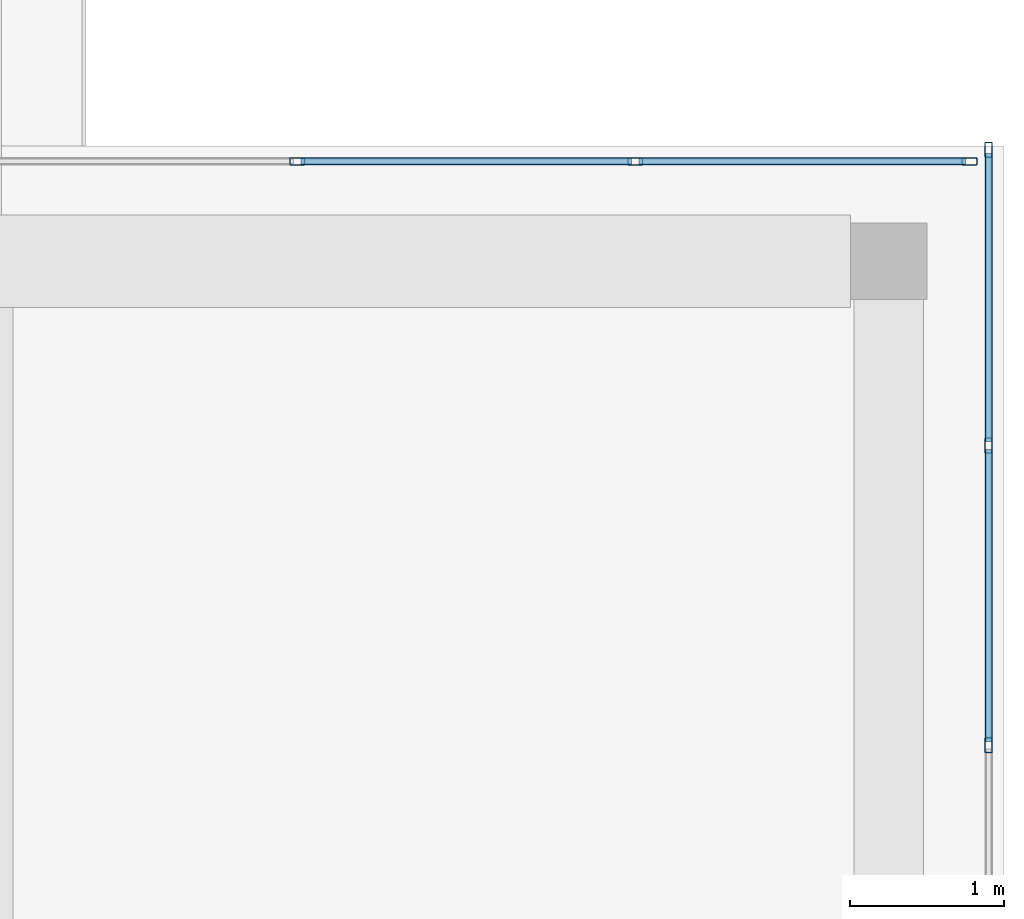
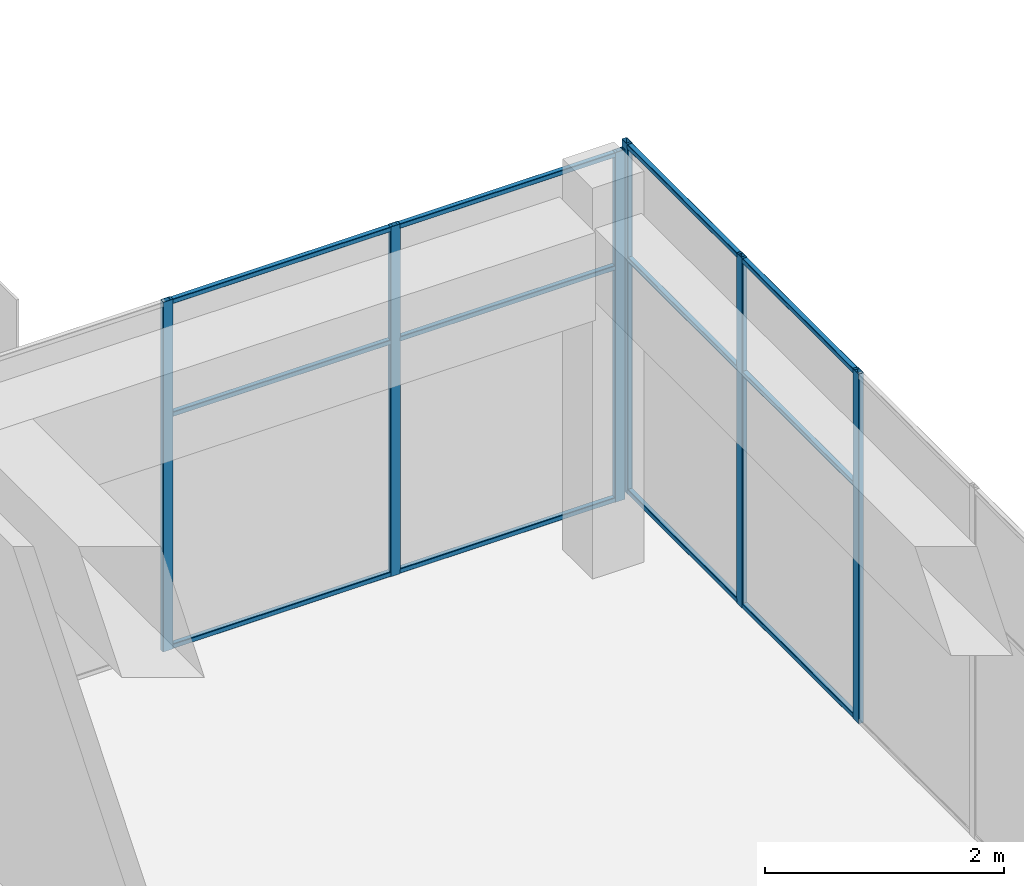
# One storey, part 20 of 36: 18 members, 2 elements without a shape of their own.
"""IFC4 building model written with IfcOpenShell, lengths in metres."""

from ifc_helpers import new_model, si_unit, direction, frame, origin, origin_2d, place, context, subcontext, project, spatial, hollow_rectangle, extrude, material, layer, layer_set, material_profile, profile_set, type_object, element, aggregate, save


model = new_model("IFC4")

# Units and contexts
model_context = context("Model", 3, precision=1e-05, world=origin(), true_north=direction((0.0, 1.0)))
body_context = subcontext(model_context, "Body", "Model", "MODEL_VIEW")
ifc_project = project(units=[si_unit("LENGTHUNIT", "METRE"), si_unit("AREAUNIT", "SQUARE_METRE"), si_unit("VOLUMEUNIT", "CUBIC_METRE"), si_unit("PLANEANGLEUNIT", "RADIAN"), si_unit("MASSUNIT", "GRAM", prefix="KILO")], contexts=[model_context])

# Site, building, storey
site_placement = place(None, origin())
site = spatial("IfcSite", under=ifc_project, at=site_placement, CompositionType="ELEMENT")
building_placement = place(site_placement, origin())
building = spatial("IfcBuilding", under=site, at=building_placement, Name="Tuart Plaza Theatre", CompositionType="ELEMENT")
storey_placement = place(building_placement, frame((0.0, 0.0, 61.5)))
storey = spatial("IfcBuildingStorey", under=building, at=storey_placement, Name="L15", CompositionType="ELEMENT", Elevation=61.5)

# Curtain wall, members
ifc_material_1 = material(Name="Aluminium and glass", Category="aluminium")
ifc_layer = layer(ifc_material_1, 0.10009765625)
ifc_layer_set = layer_set([ifc_layer], Name="CURTAIN WALL 2000 module")
curtain_wall_type = type_object("IfcCurtainWallType", Name="CURTAIN WALL 2000 module", PredefinedType="NOTDEFINED", material=ifc_layer_set)
curtain_wall_1_placement = place(storey_placement, origin())
curtain_wall_1 = element("IfcCurtainWall", 1, at=curtain_wall_1_placement, inside=storey, type_object=curtain_wall_type, Name="CW114", PredefinedType="NOTDEFINED")
ifc_material_2 = material(Name="Aluminium 6063-T5", Category="aluminium")
ifc_material_profile_1 = material_profile(ifc_material_2, hollow_rectangle(XDim=0.050048828125, YDim=0.10009765625, WallThickness=0.00390625, InnerFilletRadius=0.00390625, OuterFilletRadius=0.008056640625, at=origin_2d()), Name="RHS 100x50x4")
ifc_profile_set_1 = profile_set([ifc_material_profile_1], Name="Aluminium 6063-T5")
member_type_1 = type_object("IfcMemberType", Name="MULLION RHS 100x50x4", PredefinedType="MULLION", material=ifc_profile_set_1)
member_1_placement = place(storey_placement, frame((150.64990234375, 79.85009765625, 0.0), z_axis=(0.0, 0.0, 1.0), x_axis=(-1.0, 0.0, 0.0)))
member_1 = element("IfcMember", 2, at=member_1_placement, type_object=member_type_1, Name="CW114 mullion 9", PredefinedType="MULLION", context=body_context, shape_type="SweptSolid", body=[
    extrude(hollow_rectangle(XDim=0.050048828125, YDim=0.10009765625, WallThickness=0.00390625, InnerFilletRadius=0.00390625, OuterFilletRadius=0.008056640625, at=origin_2d()), origin(), (0.0, 0.0, 1.0), 3.580078125),
])
member_2_placement = place(storey_placement, frame((150.64990234375, 81.800048828125, 0.0), z_axis=(0.0, 0.0, 1.0), x_axis=(-1.0, 0.0, 0.0)))
member_2 = element("IfcMember", 3, at=member_2_placement, type_object=member_type_1, Name="CW114 mullion 10", PredefinedType="MULLION", context=body_context, shape_type="SweptSolid", body=[
    extrude(hollow_rectangle(XDim=0.050048828125, YDim=0.10009765625, WallThickness=0.00390625, InnerFilletRadius=0.00390625, OuterFilletRadius=0.008056640625, at=origin_2d()), origin(), (0.0, 0.0, 1.0), 3.580078125),
])
member_3_placement = place(storey_placement, frame((150.64990234375, 83.72509765625, 0.0), z_axis=(0.0, 0.0, 1.0), x_axis=(-1.0, 0.0, 0.0)))
member_3 = element("IfcMember", 4, at=member_3_placement, type_object=member_type_1, Name="CW114 mullion 11", PredefinedType="MULLION", context=body_context, shape_type="SweptSolid", body=[
    extrude(hollow_rectangle(XDim=0.050048828125, YDim=0.10009765625, WallThickness=0.00390625, InnerFilletRadius=0.00390625, OuterFilletRadius=0.008056640625, at=origin_2d()), origin(), (0.0, 0.0, 1.0), 3.580078125),
])

curtain_wall_2_placement = place(storey_placement, origin())
curtain_wall_2 = element("IfcCurtainWall", 5, at=curtain_wall_2_placement, inside=storey, type_object=curtain_wall_type, Name="CW115", PredefinedType="NOTDEFINED")
member_4_placement = place(storey_placement, frame((150.52490234375, 83.64990234375, 0.0), z_axis=(0.0, 0.0, 1.0), x_axis=(0.0, -1.0, 0.0)))
member_4 = element("IfcMember", 6, at=member_4_placement, type_object=member_type_1, Name="CW115 mullion 1", PredefinedType="MULLION", context=body_context, shape_type="SweptSolid", body=[
    extrude(hollow_rectangle(XDim=0.050048828125, YDim=0.10009765625, WallThickness=0.00390625, InnerFilletRadius=0.00390625, OuterFilletRadius=0.008056640625, at=origin_2d()), origin(), (0.0, 0.0, 1.0), 3.580078125),
])
member_5_placement = place(storey_placement, frame((148.35009765625, 83.64990234375, 0.0), z_axis=(0.0, 0.0, 1.0), x_axis=(0.0, -1.0, 0.0)))
member_5 = element("IfcMember", 7, at=member_5_placement, type_object=member_type_1, Name="CW115 mullion 2", PredefinedType="MULLION", context=body_context, shape_type="SweptSolid", body=[
    extrude(hollow_rectangle(XDim=0.050048828125, YDim=0.10009765625, WallThickness=0.00390625, InnerFilletRadius=0.00390625, OuterFilletRadius=0.008056640625, at=origin_2d()), origin(), (0.0, 0.0, 1.0), 3.580078125),
])
member_6_placement = place(storey_placement, frame((146.14990234375, 83.64990234375, 0.0), z_axis=(0.0, 0.0, 1.0), x_axis=(0.0, -1.0, 0.0)))
member_6 = element("IfcMember", 8, at=member_6_placement, type_object=member_type_1, Name="CW115 mullion 3", PredefinedType="MULLION", context=body_context, shape_type="SweptSolid", body=[
    extrude(hollow_rectangle(XDim=0.050048828125, YDim=0.10009765625, WallThickness=0.00390625, InnerFilletRadius=0.00390625, OuterFilletRadius=0.008056640625, at=origin_2d()), origin(), (0.0, 0.0, 1.0), 3.580078125),
])

# Member
ifc_material_3 = material(Name="Aluminium 6063-T5", Category="aluminium")
ifc_material_profile_2 = material_profile(ifc_material_3, hollow_rectangle(XDim=0.050048828125, YDim=0.050048828125, WallThickness=0.00390625, InnerFilletRadius=0.00390625, OuterFilletRadius=0.008056640625, at=origin_2d()), Name="RHS 50x50x4")
ifc_profile_set_2 = profile_set([ifc_material_profile_2], Name="Aluminium 6063-T5")
member_type_2 = type_object("IfcMemberType", Name="TRANSOM RHS 50x50x4", PredefinedType="USERDEFINED", material=ifc_profile_set_2)
member_7_placement = place(storey_placement, frame((150.64990234375, 79.875, 0.02490234375), z_axis=(0.0, 1.0, 0.0), x_axis=(-1.0, 0.0, 0.0)))
member_7 = element("IfcMember", 9, at=member_7_placement, type_object=member_type_2, Name="CW114 transom 9.1", ObjectType="TRANSOM", PredefinedType="USERDEFINED", context=body_context, shape_type="SweptSolid", body=[
    extrude(hollow_rectangle(XDim=0.050048828125, YDim=0.050048828125, WallThickness=0.00390625, InnerFilletRadius=0.00390625, OuterFilletRadius=0.008056640625, at=origin_2d()), origin(), (0.0, 0.0, 1.0), 1.89990234375),
])

member_8_placement = place(storey_placement, frame((150.64990234375, 79.875, 2.39990234375), z_axis=(0.0, 1.0, 0.0), x_axis=(-1.0, 0.0, 0.0)))
member_8 = element("IfcMember", 10, at=member_8_placement, type_object=member_type_2, Name="CW114 transom 9.2", ObjectType="TRANSOM", PredefinedType="USERDEFINED", context=body_context, shape_type="SweptSolid", body=[
    extrude(hollow_rectangle(XDim=0.050048828125, YDim=0.050048828125, WallThickness=0.00390625, InnerFilletRadius=0.00390625, OuterFilletRadius=0.008056640625, at=origin_2d()), origin(), (0.0, 0.0, 1.0), 1.89990234375),
])

member_9_placement = place(storey_placement, frame((150.64990234375, 79.875, 3.554931640625), z_axis=(0.0, 1.0, 0.0), x_axis=(-1.0, 0.0, 0.0)))
member_9 = element("IfcMember", 11, at=member_9_placement, type_object=member_type_2, Name="CW114 transom 9.3", ObjectType="TRANSOM", PredefinedType="USERDEFINED", context=body_context, shape_type="SweptSolid", body=[
    extrude(hollow_rectangle(XDim=0.050048828125, YDim=0.050048828125, WallThickness=0.00390625, InnerFilletRadius=0.00390625, OuterFilletRadius=0.008056640625, at=origin_2d()), origin(), (0.0, 0.0, 1.0), 1.89990234375),
])

member_10_placement = place(storey_placement, frame((150.64990234375, 81.824951171875, 0.02490234375), z_axis=(0.0, 1.0, 0.0), x_axis=(-1.0, 0.0, 0.0)))
member_10 = element("IfcMember", 12, at=member_10_placement, type_object=member_type_2, Name="CW114 transom 10.1", ObjectType="TRANSOM", PredefinedType="USERDEFINED", context=body_context, shape_type="SweptSolid", body=[
    extrude(hollow_rectangle(XDim=0.050048828125, YDim=0.050048828125, WallThickness=0.00390625, InnerFilletRadius=0.00390625, OuterFilletRadius=0.008056640625, at=origin_2d()), origin(), (0.0, 0.0, 1.0), 1.875),
])

member_11_placement = place(storey_placement, frame((150.64990234375, 81.824951171875, 2.39990234375), z_axis=(0.0, 1.0, 0.0), x_axis=(-1.0, 0.0, 0.0)))
member_11 = element("IfcMember", 13, at=member_11_placement, type_object=member_type_2, Name="CW114 transom 10.2", ObjectType="TRANSOM", PredefinedType="USERDEFINED", context=body_context, shape_type="SweptSolid", body=[
    extrude(hollow_rectangle(XDim=0.050048828125, YDim=0.050048828125, WallThickness=0.00390625, InnerFilletRadius=0.00390625, OuterFilletRadius=0.008056640625, at=origin_2d()), origin(), (0.0, 0.0, 1.0), 1.875),
])

member_12_placement = place(storey_placement, frame((150.64990234375, 81.824951171875, 3.554931640625), z_axis=(0.0, 1.0, 0.0), x_axis=(-1.0, 0.0, 0.0)))
member_12 = element("IfcMember", 14, at=member_12_placement, type_object=member_type_2, Name="CW114 transom 10.3", ObjectType="TRANSOM", PredefinedType="USERDEFINED", context=body_context, shape_type="SweptSolid", body=[
    extrude(hollow_rectangle(XDim=0.050048828125, YDim=0.050048828125, WallThickness=0.00390625, InnerFilletRadius=0.00390625, OuterFilletRadius=0.008056640625, at=origin_2d()), origin(), (0.0, 0.0, 1.0), 1.875),
])

aggregate(curtain_wall_1, [member_1, member_2, member_3, member_7, member_8, member_9, member_10, member_11, member_12])

member_13_placement = place(storey_placement, frame((150.5, 83.64990234375, 0.02490234375), z_axis=(-1.0, 0.0, 0.0), x_axis=(0.0, -1.0, 0.0)))
member_13 = element("IfcMember", 15, at=member_13_placement, type_object=member_type_2, Name="CW115 transom 1.1", ObjectType="TRANSOM", PredefinedType="USERDEFINED", context=body_context, shape_type="SweptSolid", body=[
    extrude(hollow_rectangle(XDim=0.050048828125, YDim=0.050048828125, WallThickness=0.00390625, InnerFilletRadius=0.00390625, OuterFilletRadius=0.008056640625, at=origin_2d()), origin(), (0.0, 0.0, 1.0), 2.125),
])

member_14_placement = place(storey_placement, frame((150.5, 83.64990234375, 2.39990234375), z_axis=(-1.0, 0.0, 0.0), x_axis=(0.0, -1.0, 0.0)))
member_14 = element("IfcMember", 16, at=member_14_placement, type_object=member_type_2, Name="CW115 transom 1.2", ObjectType="TRANSOM", PredefinedType="USERDEFINED", context=body_context, shape_type="SweptSolid", body=[
    extrude(hollow_rectangle(XDim=0.050048828125, YDim=0.050048828125, WallThickness=0.00390625, InnerFilletRadius=0.00390625, OuterFilletRadius=0.008056640625, at=origin_2d()), origin(), (0.0, 0.0, 1.0), 2.125),
])

member_15_placement = place(storey_placement, frame((150.5, 83.64990234375, 3.554931640625), z_axis=(-1.0, 0.0, 0.0), x_axis=(0.0, -1.0, 0.0)))
member_15 = element("IfcMember", 17, at=member_15_placement, type_object=member_type_2, Name="CW115 transom 1.3", ObjectType="TRANSOM", PredefinedType="USERDEFINED", context=body_context, shape_type="SweptSolid", body=[
    extrude(hollow_rectangle(XDim=0.050048828125, YDim=0.050048828125, WallThickness=0.00390625, InnerFilletRadius=0.00390625, OuterFilletRadius=0.008056640625, at=origin_2d()), origin(), (0.0, 0.0, 1.0), 2.125),
])

member_16_placement = place(storey_placement, frame((148.324951171875, 83.64990234375, 0.02490234375), z_axis=(-1.0, 0.0, 0.0), x_axis=(0.0, -1.0, 0.0)))
member_16 = element("IfcMember", 18, at=member_16_placement, type_object=member_type_2, Name="CW115 transom 2.1", ObjectType="TRANSOM", PredefinedType="USERDEFINED", context=body_context, shape_type="SweptSolid", body=[
    extrude(hollow_rectangle(XDim=0.050048828125, YDim=0.050048828125, WallThickness=0.00390625, InnerFilletRadius=0.00390625, OuterFilletRadius=0.008056640625, at=origin_2d()), origin(), (0.0, 0.0, 1.0), 2.14990234375),
])

member_17_placement = place(storey_placement, frame((148.324951171875, 83.64990234375, 2.39990234375), z_axis=(-1.0, 0.0, 0.0), x_axis=(0.0, -1.0, 0.0)))
member_17 = element("IfcMember", 19, at=member_17_placement, type_object=member_type_2, Name="CW115 transom 2.2", ObjectType="TRANSOM", PredefinedType="USERDEFINED", context=body_context, shape_type="SweptSolid", body=[
    extrude(hollow_rectangle(XDim=0.050048828125, YDim=0.050048828125, WallThickness=0.00390625, InnerFilletRadius=0.00390625, OuterFilletRadius=0.008056640625, at=origin_2d()), origin(), (0.0, 0.0, 1.0), 2.14990234375),
])

member_18_placement = place(storey_placement, frame((148.324951171875, 83.64990234375, 3.554931640625), z_axis=(-1.0, 0.0, 0.0), x_axis=(0.0, -1.0, 0.0)))
member_18 = element("IfcMember", 20, at=member_18_placement, type_object=member_type_2, Name="CW115 transom 2.3", ObjectType="TRANSOM", PredefinedType="USERDEFINED", context=body_context, shape_type="SweptSolid", body=[
    extrude(hollow_rectangle(XDim=0.050048828125, YDim=0.050048828125, WallThickness=0.00390625, InnerFilletRadius=0.00390625, OuterFilletRadius=0.008056640625, at=origin_2d()), origin(), (0.0, 0.0, 1.0), 2.14990234375),
])

aggregate(curtain_wall_2, [member_4, member_5, member_6, member_13, member_14, member_15, member_16, member_17, member_18])

save(model, "model.ifc")
